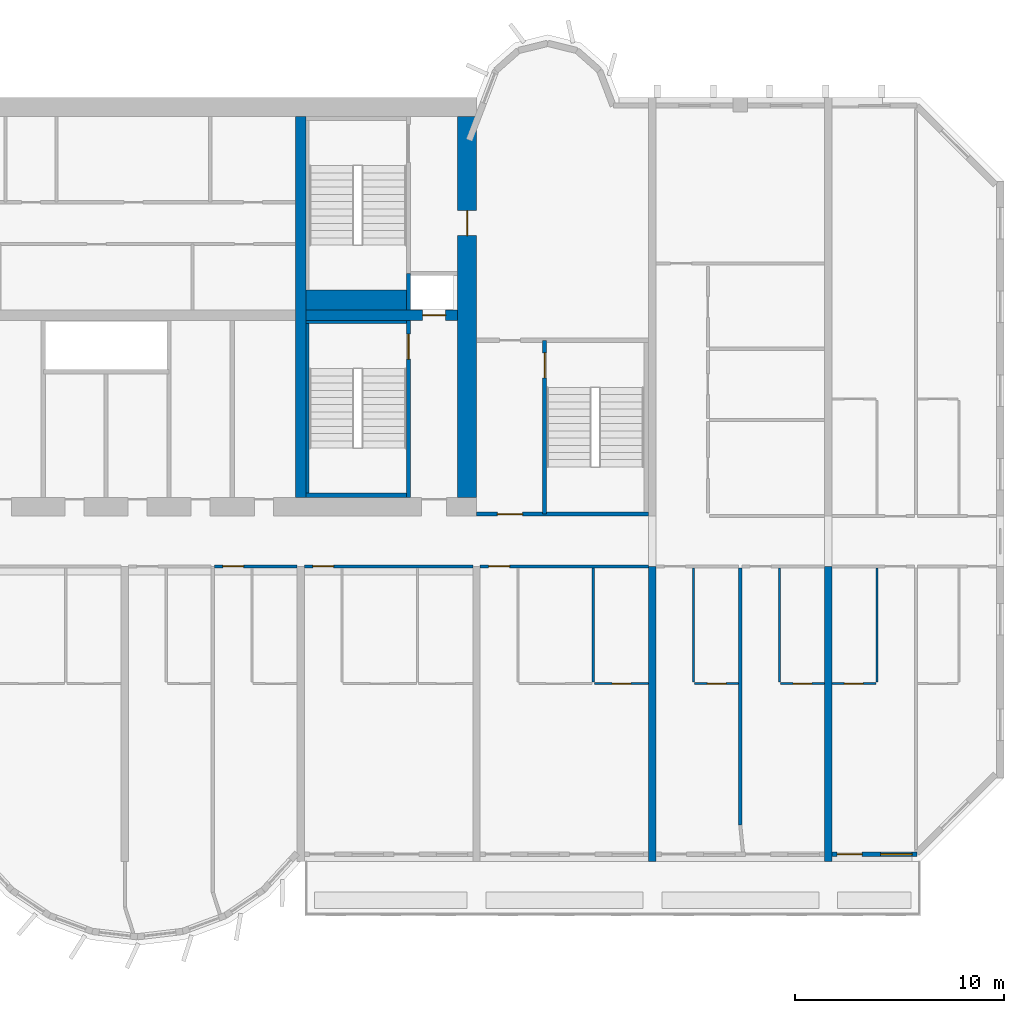
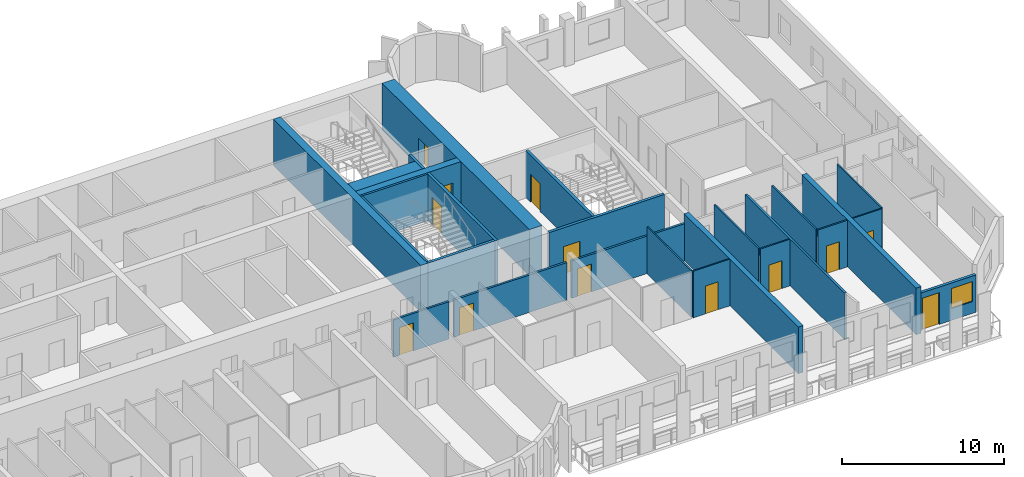
# One storey, part 9 of 15: 26 walls, 13 doors, 1 window, 14 openings.
"""IFC4 building model written with IfcOpenShell, lengths in metres."""

from ifc_helpers import new_model, si_unit, direction, frame, frame_2d, origin, place, context, subcontext, project, spatial, rectangle, extrude, source, transform, mapped, material, layer, layer_set, type_object, element, fill, save


model = new_model("IFC4")

# Units and contexts
model_context = context("Model", 3, precision=1e-05, world=origin(), true_north=direction((0.0, 1.0)))
body_context = subcontext(model_context, "Body", "Model", "MODEL_VIEW")
ifc_project = project(units=[si_unit("LENGTHUNIT", "METRE"), si_unit("AREAUNIT", "SQUARE_METRE"), si_unit("VOLUMEUNIT", "CUBIC_METRE"), si_unit("PLANEANGLEUNIT", "RADIAN"), si_unit("MASSUNIT", "GRAM", prefix="KILO")], contexts=[model_context])

# Site, building, storey
site_placement = place(None, origin())
site = spatial("IfcSite", under=ifc_project, at=site_placement, CompositionType="ELEMENT")
building_placement = place(site_placement, origin())
building = spatial("IfcBuilding", under=site, at=building_placement, Name="Vanashikhar Sky Hotel", CompositionType="ELEMENT")
storey_placement = place(building_placement, frame((0.0, 0.0, 110.39990234375)))
storey = spatial("IfcBuildingStorey", under=building, at=storey_placement, Name="L26", CompositionType="ELEMENT", Elevation=110.39990234375)

# Wall, opening, door
ifc_material_1 = material(Name="Concrete M70", Category="concrete")
ifc_layer_1 = layer(ifc_material_1, 0.89990234375)
ifc_layer_set_1 = layer_set([ifc_layer_1], Name="RC core shell wall 900 Concrete M70")
wall_type_1 = type_object("IfcWallType", Name="RC core shell wall 900 Concrete M70", PredefinedType="SHEAR", material=ifc_layer_set_1)
shared_shape_1 = source(origin(), body_context, "Body", "SweptSolid", [
    extrude(rectangle(XDim=18.2001953125, YDim=0.89990234375, at=frame_2d((9.10009765625, 0.0))), origin(), (0.0, 0.0, 1.0), 3.52001953125),
])
wall_1_placement = place(storey_placement, frame((75.14990234375, 22.89990234375, 0.0), z_axis=(0.0, 0.0, 1.0), x_axis=(0.0, 1.0, 0.0)))
wall_1 = element("IfcWall", 1, at=wall_1_placement, inside=storey, type_object=wall_type_1, Name="KW-L26-KE", PredefinedType="SHEAR", context=body_context, shape_type="MappedRepresentation", body=[
    mapped(shared_shape_1, transform((0.0, 0.0, 0.0), scale=1.0)),
])
shared_shape_2 = source(origin(), body_context, "Body", "SweptSolid", [
    extrude(rectangle(XDim=1.199951171875, YDim=2.10009765625, at=frame_2d((0.60009765625, 1.050048828125))), frame((0.0, 0.4599609375, 0.0), z_axis=(0.0, -1.0, 0.0), x_axis=(1.0, 0.0, 0.0)), (0.0, 0.0, 1.0), 0.919921875),
])
opening_1_placement = place(wall_1_placement, frame((12.5, 0.0, 0.0)))
opening_1 = element("IfcOpeningElement", 2, at=opening_1_placement, cuts=wall_1, Name="Opening DC-4-D", PredefinedType="OPENING", context=body_context, shape_type="MappedRepresentation", body=[
    mapped(shared_shape_2, transform((0.0, 0.0, 0.0), scale=1.0)),
])
ifc_material_2 = material(Name="Steel", Category="steel")
door_type_1 = type_object("IfcDoorType", Name="Service door 1200 FD120", OperationType="NOTDEFINED", PredefinedType="DOOR", material=ifc_material_2)
shared_shape_3 = source(origin(), body_context, "Body", "SweptSolid", [
    extrude(rectangle(XDim=1.199951171875, YDim=2.10009765625, at=frame_2d((0.60009765625, 1.050048828125))), frame((0.0, 0.02490234375, 0.0), z_axis=(0.0, -1.0, 0.0), x_axis=(1.0, 0.0, 0.0)), (0.0, 0.0, 1.0), 0.050048828125),
])
door_1_placement = place(opening_1_placement, origin())
door_1 = element("IfcDoor", 3, at=door_1_placement, inside=storey, type_object=door_type_1, Name="Service door 1200 FD120", OperationType="SINGLE_SWING_RIGHT", OverallHeight=2.10009765625, OverallWidth=1.199951171875, PredefinedType="DOOR", context=body_context, shape_type="MappedRepresentation", body=[
    mapped(shared_shape_3, transform((0.0, 0.0, 0.0), scale=1.0)),
])
fill(opening_1, door_1)

# Wall
ifc_layer_2 = layer(ifc_material_1, 0.5)
ifc_layer_set_2 = layer_set([ifc_layer_2], Name="RC core inner wall 500 Concrete M70")
wall_type_2 = type_object("IfcWallType", Name="RC core inner wall 500 Concrete M70", PredefinedType="SHEAR", material=ifc_layer_set_2)
shared_shape_4 = source(origin(), body_context, "Body", "SweptSolid", [
    extrude(rectangle(XDim=18.2001953125, YDim=0.5, at=frame_2d((9.10009765625, 0.0))), origin(), (0.0, 0.0, 1.0), 3.52001953125),
])
wall_2_placement = place(storey_placement, frame((67.199951171875, 22.89990234375, 0.0), z_axis=(0.0, 0.0, 1.0), x_axis=(0.0, 1.0, 0.0)))
element("IfcWall", 4, at=wall_2_placement, inside=storey, type_object=wall_type_2, Name="KW-L26-KX3", PredefinedType="SHEAR", context=body_context, shape_type="MappedRepresentation", body=[
    mapped(shared_shape_4, transform((0.0, 0.0, 0.0), scale=1.0)),
])

# Wall, opening, door
shared_shape_5 = source(origin(), body_context, "Body", "SweptSolid", [
    extrude(rectangle(XDim=7.25, YDim=0.5, at=frame_2d((3.625, 0.0))), origin(), (0.0, 0.0, 1.0), 3.52001953125),
])
wall_3_placement = place(storey_placement, frame((67.449951171875, 31.60009765625, 0.0), z_axis=(0.0, 0.0, 1.0), x_axis=(1.0, 0.0, 0.0)))
wall_3 = element("IfcWall", 5, at=wall_3_placement, inside=storey, type_object=wall_type_2, Name="KW-L26-KY4", PredefinedType="SHEAR", context=body_context, shape_type="MappedRepresentation", body=[
    mapped(shared_shape_5, transform((0.0, 0.0, 0.0), scale=1.0)),
])
shared_shape_6 = source(origin(), body_context, "Body", "SweptSolid", [
    extrude(rectangle(XDim=1.10009765625, YDim=2.10009765625, at=frame_2d((0.550048828125, 1.050048828125))), frame((0.0, 0.260009765625, 0.0), z_axis=(0.0, -1.0, 0.0), x_axis=(1.0, 0.0, 0.0)), (0.0, 0.0, 1.0), 0.52001953125),
])
opening_2_placement = place(wall_3_placement, frame((5.574951171875, 0.0, 0.0)))
opening_2 = element("IfcOpeningElement", 6, at=opening_2_placement, cuts=wall_3, Name="Opening LD", PredefinedType="OPENING", context=body_context, shape_type="MappedRepresentation", body=[
    mapped(shared_shape_6, transform((0.0, 0.0, 0.0), scale=1.0)),
])
ifc_material_3 = material(Name="Stainless steel", Category="steel")
door_type_2 = type_object("IfcDoorType", Name="Lift landing door 1100", OperationType="NOTDEFINED", PredefinedType="DOOR", material=ifc_material_3)
shared_shape_7 = source(origin(), body_context, "Body", "SweptSolid", [
    extrude(rectangle(XDim=1.10009765625, YDim=2.10009765625, at=frame_2d((0.550048828125, 1.050048828125))), frame((0.0, 0.02490234375, 0.0), z_axis=(0.0, -1.0, 0.0), x_axis=(1.0, 0.0, 0.0)), (0.0, 0.0, 1.0), 0.050048828125),
])
door_2_placement = place(opening_2_placement, origin())
door_2 = element("IfcDoor", 7, at=door_2_placement, inside=storey, type_object=door_type_2, Name="Lift landing door 1100", OperationType="SLIDING_TO_RIGHT", OverallHeight=2.10009765625, OverallWidth=1.10009765625, PredefinedType="DOOR", context=body_context, shape_type="MappedRepresentation", body=[
    mapped(shared_shape_7, transform((0.0, 0.0, 0.0), scale=1.0)),
])
fill(opening_2, door_2)

# Walls
ifc_layer_3 = layer(ifc_material_1, 0.35009765625)
ifc_layer_set_3 = layer_set([ifc_layer_3], Name="RC shear wall 350 Concrete M70")
wall_type_3 = type_object("IfcWallType", Name="RC shear wall 350 Concrete M70", PredefinedType="SHEAR", material=ifc_layer_set_3)
shared_shape_8 = source(origin(), body_context, "Body", "SweptSolid", [
    extrude(rectangle(XDim=14.10009765625, YDim=0.35009765625, at=frame_2d((7.050048828125, 0.0))), origin(), (0.0, 0.0, 1.0), 3.52001953125),
])
for number, where, z_axis, x_axis, name in (
    (8, (84.0, 5.5, 0.0), (0.0, 0.0, 1.0), (0.0, 1.0, 0.0), "CW-L26-XW11-1"),
    (9, (92.39990234375, 5.5, 0.0), (0.0, 0.0, 1.0), (0.0, 1.0, 0.0), "CW-L26-XW12-1"),
):
    element("IfcWall", number, at=place(storey_placement, frame(where, z_axis=z_axis, x_axis=x_axis)), inside=storey, type_object=wall_type_3, Name=name, PredefinedType="SHEAR", context=body_context, shape_type="MappedRepresentation", body=[
        mapped(shared_shape_8, transform((0.0, 0.0, 0.0), scale=1.0)),
    ])

# Wall, openings, window, door
ifc_material_4 = material(Name="Concrete M50", Category="concrete")
ifc_layer_4 = layer(ifc_material_4, 0.199951171875)
ifc_layer_set_4 = layer_set([ifc_layer_4], Name="Front window wall 200")
wall_type_4 = type_object("IfcWallType", Name="Front window wall 200", PredefinedType="SOLIDWALL", material=ifc_layer_set_4)
shared_shape_9 = source(origin(), body_context, "Body", "SweptSolid", [
    extrude(rectangle(XDim=4.080078125, YDim=0.199951171875, at=frame_2d((2.0400390625, 0.0))), origin(), (0.0, 0.0, 1.0), 2.820068359375),
])
wall_4_placement = place(storey_placement, frame((92.574951171875, 5.85009765625, 0.0), z_axis=(0.0, 0.0, 1.0), x_axis=(1.0, 0.0, 0.0)))
wall_4 = element("IfcWall", 10, at=wall_4_placement, inside=storey, type_object=wall_type_4, Name="Front window wall", PredefinedType="SOLIDWALL", context=body_context, shape_type="MappedRepresentation", body=[
    mapped(shared_shape_9, transform((0.0, 0.0, 0.0), scale=1.0)),
])
shared_shape_10 = source(origin(), body_context, "Body", "SweptSolid", [
    extrude(rectangle(XDim=1.199951171875, YDim=2.39990234375, at=frame_2d((0.60009765625, 1.199951171875))), frame((0.0, 0.10986328125, 0.0), z_axis=(0.0, -1.0, 0.0), x_axis=(1.0, 0.0, 0.0)), (0.0, 0.0, 1.0), 0.219970703125),
])
opening_3_placement = place(wall_4_placement, frame((0.25, 0.0, 0.0)))
opening_3 = element("IfcOpeningElement", 11, at=opening_3_placement, cuts=wall_4, Name="Opening BD-14", PredefinedType="OPENING", context=body_context, shape_type="MappedRepresentation", body=[
    mapped(shared_shape_10, transform((0.0, 0.0, 0.0), scale=1.0)),
])
shared_shape_11 = source(origin(), body_context, "Body", "SweptSolid", [
    extrude(rectangle(XDim=1.5, YDim=1.5, at=frame_2d((0.75, 0.75))), frame((0.0, 0.10986328125, 0.0), z_axis=(0.0, -1.0, 0.0), x_axis=(1.0, 0.0, 0.0)), (0.0, 0.0, 1.0), 0.219970703125),
])
opening_4_placement = place(wall_4_placement, frame((2.330078125, 0.0, 0.89990234375)))
opening_4 = element("IfcOpeningElement", 12, at=opening_4_placement, cuts=wall_4, Name="Opening WN-1", PredefinedType="OPENING", context=body_context, shape_type="MappedRepresentation", body=[
    mapped(shared_shape_11, transform((0.0, 0.0, 0.0), scale=1.0)),
])
ifc_material_5 = material(Name="Glass", Category="glass")
window_type = type_object("IfcWindowType", Name="Window 1500 x 1500", PartitioningType="SINGLE_PANEL", PredefinedType="WINDOW", material=ifc_material_5)
shared_shape_12 = source(origin(), body_context, "Body", "SweptSolid", [
    extrude(rectangle(XDim=1.5, YDim=1.5, at=frame_2d((0.75, 0.75))), frame((0.0, 0.030029296875, 0.0), z_axis=(0.0, -1.0, 0.0), x_axis=(1.0, 0.0, 0.0)), (0.0, 0.0, 1.0), 0.06005859375),
])
window_placement = place(opening_4_placement, origin())
window = element("IfcWindow", 13, at=window_placement, inside=storey, type_object=window_type, Name="Window WN-1", OverallHeight=1.5, OverallWidth=1.5, PartitioningType="SINGLE_PANEL", PredefinedType="WINDOW", context=body_context, shape_type="MappedRepresentation", body=[
    mapped(shared_shape_12, transform((0.0, 0.0, 0.0), scale=1.0)),
])
fill(opening_4, window)
ifc_material_6 = material(Name="Aluminium", Category="aluminium")
door_type_3 = type_object("IfcDoorType", Name="Balcony sliding door 1200 x 2400", OperationType="NOTDEFINED", PredefinedType="DOOR", material=ifc_material_6)
shared_shape_13 = source(origin(), body_context, "Body", "SweptSolid", [
    extrude(rectangle(XDim=1.199951171875, YDim=2.39990234375, at=frame_2d((0.60009765625, 1.199951171875))), frame((0.0, 0.02490234375, 0.0), z_axis=(0.0, -1.0, 0.0), x_axis=(1.0, 0.0, 0.0)), (0.0, 0.0, 1.0), 0.050048828125),
])
door_3_placement = place(opening_3_placement, origin())
door_3 = element("IfcDoor", 14, at=door_3_placement, inside=storey, type_object=door_type_3, Name="Balcony sliding door", OperationType="SLIDING_TO_RIGHT", OverallHeight=2.39990234375, OverallWidth=1.199951171875, PredefinedType="DOOR", context=body_context, shape_type="MappedRepresentation", body=[
    mapped(shared_shape_13, transform((0.0, 0.0, 0.0), scale=1.0)),
])
fill(opening_3, door_3)

# Wall, opening, door
ifc_layer_5 = layer(ifc_material_4, 0.199951171875)
ifc_layer_set_5 = layer_set([ifc_layer_5], Name="Stair wall 200")
wall_type_5 = type_object("IfcWallType", Name="Stair wall 200", PredefinedType="SOLIDWALL", material=ifc_layer_set_5)
shared_shape_14 = source(origin(), body_context, "Body", "SweptSolid", [
    extrude(rectangle(XDim=8.2998046875, YDim=0.199951171875, at=frame_2d((4.14990234375, 0.0))), origin(), (0.0, 0.0, 1.0), 3.52001953125),
])
wall_5_placement = place(storey_placement, frame((78.85009765625, 22.10009765625, 0.0), z_axis=(0.0, 0.0, 1.0), x_axis=(0.0, 1.0, 0.0)))
wall_5 = element("IfcWall", 15, at=wall_5_placement, inside=storey, type_object=wall_type_5, Name="Stair wall 200", PredefinedType="SOLIDWALL", context=body_context, shape_type="MappedRepresentation", body=[
    mapped(shared_shape_14, transform((0.0, 0.0, 0.0), scale=1.0)),
])
shared_shape_15 = source(origin(), body_context, "Body", "SweptSolid", [
    extrude(rectangle(XDim=1.199951171875, YDim=2.10009765625, at=frame_2d((0.60009765625, 1.050048828125))), frame((0.0, 0.10986328125, 0.0), z_axis=(0.0, -1.0, 0.0), x_axis=(1.0, 0.0, 0.0)), (0.0, 0.0, 1.0), 0.219970703125),
])
opening_5_placement = place(wall_5_placement, frame((6.5, 0.0, 0.0)))
opening_5 = element("IfcOpeningElement", 16, at=opening_5_placement, cuts=wall_5, Name="Opening DC-1", PredefinedType="OPENING", context=body_context, shape_type="MappedRepresentation", body=[
    mapped(shared_shape_15, transform((0.0, 0.0, 0.0), scale=1.0)),
])
door_type_4 = type_object("IfcDoorType", Name="Stair door 1200 FD120", OperationType="NOTDEFINED", PredefinedType="DOOR", material=ifc_material_2)
door_4_placement = place(opening_5_placement, origin())
door_4 = element("IfcDoor", 17, at=door_4_placement, inside=storey, type_object=door_type_4, Name="Stair door 1200 FD120", OperationType="SINGLE_SWING_RIGHT", OverallHeight=2.10009765625, OverallWidth=1.199951171875, PredefinedType="DOOR", context=body_context, shape_type="MappedRepresentation", body=[
    mapped(shared_shape_3, transform((0.0, 0.0, 0.0), scale=1.0)),
])
fill(opening_5, door_4)

shared_shape_16 = source(origin(), body_context, "Body", "SweptSolid", [
    extrude(rectangle(XDim=8.4501953125, YDim=0.199951171875, at=frame_2d((4.22509765625, 0.0))), origin(), (0.0, 0.0, 1.0), 3.52001953125),
])
wall_6_placement = place(storey_placement, frame((72.35009765625, 22.89990234375, 0.0), z_axis=(0.0, 0.0, 1.0), x_axis=(0.0, 1.0, 0.0)))
wall_6 = element("IfcWall", 18, at=wall_6_placement, inside=storey, type_object=wall_type_5, Name="Stair wall 200", PredefinedType="SOLIDWALL", context=body_context, shape_type="MappedRepresentation", body=[
    mapped(shared_shape_16, transform((0.0, 0.0, 0.0), scale=1.0)),
])
opening_6_placement = place(wall_6_placement, frame((6.60009765625, 0.0, 0.0)))
opening_6 = element("IfcOpeningElement", 19, at=opening_6_placement, cuts=wall_6, Name="Opening DC-1", PredefinedType="OPENING", context=body_context, shape_type="MappedRepresentation", body=[
    mapped(shared_shape_15, transform((0.0, 0.0, 0.0), scale=1.0)),
])
door_5_placement = place(opening_6_placement, origin())
door_5 = element("IfcDoor", 20, at=door_5_placement, inside=storey, type_object=door_type_4, Name="Stair door 1200 FD120", OperationType="SINGLE_SWING_LEFT", OverallHeight=2.10009765625, OverallWidth=1.199951171875, PredefinedType="DOOR", context=body_context, shape_type="MappedRepresentation", body=[
    mapped(shared_shape_3, transform((0.0, 0.0, 0.0), scale=1.0)),
])
fill(opening_6, door_5)

# Wall
ifc_material_7 = material(Name="Concrete M40", Category="concrete")
ifc_layer_6 = layer(ifc_material_7, 0.199951171875)
ifc_layer_set_6 = layer_set([ifc_layer_6], Name="Shaft wall 200")
wall_type_6 = type_object("IfcWallType", Name="Shaft wall 200", PredefinedType="SOLIDWALL", material=ifc_layer_set_6)
shared_shape_17 = source(origin(), body_context, "Body", "SweptSolid", [
    extrude(rectangle(XDim=1.75, YDim=0.199951171875, at=frame_2d((0.875, 0.0))), origin(), (0.0, 0.0, 1.0), 3.52001953125),
])
wall_7_placement = place(storey_placement, frame((72.35009765625, 31.85009765625, 0.0), z_axis=(0.0, 0.0, 1.0), x_axis=(0.0, 1.0, 0.0)))
element("IfcWall", 21, at=wall_7_placement, inside=storey, type_object=wall_type_6, Name="Shaft wall 200", PredefinedType="SOLIDWALL", context=body_context, shape_type="MappedRepresentation", body=[
    mapped(shared_shape_17, transform((0.0, 0.0, 0.0), scale=1.0)),
])

# Wall, opening, door
shared_shape_18 = source(origin(), body_context, "Body", "SweptSolid", [
    extrude(rectangle(XDim=8.224853515625, YDim=0.199951171875, at=frame_2d((4.1123046875, 0.0))), origin(), (0.0, 0.0, 1.0), 3.52001953125),
])
wall_8_placement = place(storey_placement, frame((83.824951171875, 22.10009765625, 0.0), z_axis=(0.0, 0.0, 1.0), x_axis=(-1.0, 0.0, 0.0)))
wall_8 = element("IfcWall", 22, at=wall_8_placement, inside=storey, type_object=wall_type_5, Name="Stair wall 200", PredefinedType="SOLIDWALL", context=body_context, shape_type="MappedRepresentation", body=[
    mapped(shared_shape_18, transform((0.0, 0.0, 0.0), scale=1.0)),
])
opening_7_placement = place(wall_8_placement, frame((6.02490234375, 0.0, 0.0)))
opening_7 = element("IfcOpeningElement", 23, at=opening_7_placement, cuts=wall_8, Name="Opening DC-2", PredefinedType="OPENING", context=body_context, shape_type="MappedRepresentation", body=[
    mapped(shared_shape_15, transform((0.0, 0.0, 0.0), scale=1.0)),
])
door_type_5 = type_object("IfcDoorType", Name="Firefighting lobby door 1200 FD120", OperationType="NOTDEFINED", PredefinedType="DOOR", material=ifc_material_2)
door_6_placement = place(opening_7_placement, origin())
door_6 = element("IfcDoor", 24, at=door_6_placement, inside=storey, type_object=door_type_5, Name="Firefighting lobby door 1200 FD120", OperationType="SINGLE_SWING_RIGHT", OverallHeight=2.10009765625, OverallWidth=1.199951171875, PredefinedType="DOOR", context=body_context, shape_type="MappedRepresentation", body=[
    mapped(shared_shape_3, transform((0.0, 0.0, 0.0), scale=1.0)),
])
fill(opening_7, door_6)

# Walls
ifc_layer_7 = layer(ifc_material_4, 0.199951171875)
ifc_layer_set_7 = layer_set([ifc_layer_7], Name="Stair infill wall 200")
wall_type_7 = type_object("IfcWallType", Name="Stair infill wall 200", PredefinedType="SOLIDWALL", material=ifc_layer_set_7)
shared_shape_19 = source(origin(), body_context, "Body", "SweptSolid", [
    extrude(rectangle(XDim=4.800048828125, YDim=0.199951171875, at=frame_2d((2.39990234375, 0.0))), origin(), (0.0, 0.0, 1.0), 3.52001953125),
])
wall_9_placement = place(storey_placement, frame((67.449951171875, 23.0, 0.0), z_axis=(0.0, 0.0, 1.0), x_axis=(1.0, 0.0, 0.0)))
element("IfcWall", 25, at=wall_9_placement, inside=storey, type_object=wall_type_7, Name="Stair infill wall 200", PredefinedType="SOLIDWALL", context=body_context, shape_type="MappedRepresentation", body=[
    mapped(shared_shape_19, transform((0.0, 0.0, 0.0), scale=1.0)),
])
ifc_layer_8 = layer(ifc_material_4, 0.14990234375)
ifc_layer_set_8 = layer_set([ifc_layer_8], Name="Stair infill wall 150")
wall_type_8 = type_object("IfcWallType", Name="Stair infill wall 150", PredefinedType="SOLIDWALL", material=ifc_layer_set_8)
shared_shape_20 = source(origin(), body_context, "Body", "SweptSolid", [
    extrude(rectangle(XDim=4.800048828125, YDim=0.14990234375, at=frame_2d((2.39990234375, 0.0))), origin(), (0.0, 0.0, 1.0), 3.52001953125),
])
wall_10_placement = place(storey_placement, frame((67.449951171875, 31.27490234375, 0.0), z_axis=(0.0, 0.0, 1.0), x_axis=(1.0, 0.0, 0.0)))
element("IfcWall", 26, at=wall_10_placement, inside=storey, type_object=wall_type_8, Name="Stair infill wall 150", PredefinedType="SOLIDWALL", context=body_context, shape_type="MappedRepresentation", body=[
    mapped(shared_shape_20, transform((0.0, 0.0, 0.0), scale=1.0)),
])
shared_shape_21 = source(origin(), body_context, "Body", "SweptSolid", [
    extrude(rectangle(XDim=8.099853515625, YDim=0.14990234375, at=frame_2d((4.0498046875, 0.0))), origin(), (0.0, 0.0, 1.0), 3.52001953125),
])
wall_11_placement = place(storey_placement, frame((67.52490234375, 23.10009765625, 0.0), z_axis=(0.0, 0.0, 1.0), x_axis=(0.0, 1.0, 0.0)))
element("IfcWall", 27, at=wall_11_placement, inside=storey, type_object=wall_type_8, Name="Stair infill wall 150", PredefinedType="SOLIDWALL", context=body_context, shape_type="MappedRepresentation", body=[
    mapped(shared_shape_21, transform((0.0, 0.0, 0.0), scale=1.0)),
])
ifc_layer_9 = layer(ifc_material_4, 0.949951171875)
ifc_layer_set_9 = layer_set([ifc_layer_9], Name="Stair infill wall 950")
wall_type_9 = type_object("IfcWallType", Name="Stair infill wall 950", PredefinedType="SOLIDWALL", material=ifc_layer_set_9)
shared_shape_22 = source(origin(), body_context, "Body", "SweptSolid", [
    extrude(rectangle(XDim=4.800048828125, YDim=0.949951171875, at=frame_2d((2.39990234375, 0.0))), origin(), (0.0, 0.0, 1.0), 3.52001953125),
])
wall_12_placement = place(storey_placement, frame((67.449951171875, 32.324951171875, 0.0), z_axis=(0.0, 0.0, 1.0), x_axis=(1.0, 0.0, 0.0)))
element("IfcWall", 28, at=wall_12_placement, inside=storey, type_object=wall_type_9, Name="Stair infill wall 950", PredefinedType="SOLIDWALL", context=body_context, shape_type="MappedRepresentation", body=[
    mapped(shared_shape_22, transform((0.0, 0.0, 0.0), scale=1.0)),
])
ifc_material_8 = material(Name="Gypsum plasterboard partition")
ifc_layer_10 = layer(ifc_material_8, 0.10009765625)
ifc_layer_set_10 = layer_set([ifc_layer_10], Name="Wet room partition 100")
wall_type_10 = type_object("IfcWallType", Name="Wet room partition 100", PredefinedType="PARTITIONING", material=ifc_layer_set_10)
shared_shape_23 = source(origin(), body_context, "Body", "SweptSolid", [
    extrude(rectangle(XDim=5.449951171875, YDim=0.10009765625, at=frame_2d((2.72509765625, 0.0))), origin(), (0.0, 0.0, 1.0), 3.52001953125),
])
for number, where, z_axis, x_axis, name in (
    (29, (81.175048828125, 14.074951171875, 0.0), (0.0, 0.0, 1.0), (0.0, 1.0, 0.0), "W-L26-PW061"),
    (30, (85.97509765625, 14.074951171875, 0.0), (0.0, 0.0, 1.0), (0.0, 1.0, 0.0), "W-L26-PW065"),
    (31, (90.074951171875, 14.074951171875, 0.0), (0.0, 0.0, 1.0), (0.0, 1.0, 0.0), "W-L26-PW068"),
    (32, (94.72509765625, 14.074951171875, 0.0), (0.0, 0.0, 1.0), (0.0, 1.0, 0.0), "W-L26-PW072"),
):
    element("IfcWall", number, at=place(storey_placement, frame(where, z_axis=z_axis, x_axis=x_axis)), inside=storey, type_object=wall_type_10, Name=name, PredefinedType="PARTITIONING", context=body_context, shape_type="MappedRepresentation", body=[
        mapped(shared_shape_23, transform((0.0, 0.0, 0.0), scale=1.0)),
    ])

# Wall, opening, door
shared_shape_24 = source(origin(), body_context, "Body", "SweptSolid", [
    extrude(rectangle(XDim=2.10009765625, YDim=0.10009765625, at=frame_2d((1.050048828125, 0.0))), origin(), (0.0, 0.0, 1.0), 3.52001953125),
])
wall_13_placement = place(storey_placement, frame((86.02490234375, 14.0, 0.0), z_axis=(0.0, 0.0, 1.0), x_axis=(1.0, 0.0, 0.0)))
wall_13 = element("IfcWall", 33, at=wall_13_placement, inside=storey, type_object=wall_type_10, Name="W-L26-PW066", PredefinedType="PARTITIONING", context=body_context, shape_type="MappedRepresentation", body=[
    mapped(shared_shape_24, transform((0.0, 0.0, 0.0), scale=1.0)),
])
shared_shape_25 = source(origin(), body_context, "Body", "SweptSolid", [
    extrude(rectangle(XDim=0.89990234375, YDim=2.10009765625, at=frame_2d((0.449951171875, 1.050048828125))), frame((0.0, 0.06005859375, 0.0), z_axis=(0.0, -1.0, 0.0), x_axis=(1.0, 0.0, 0.0)), (0.0, 0.0, 1.0), 0.1201171875),
])
opening_8_placement = place(wall_13_placement, frame((0.60009765625, 0.0, 0.0)))
opening_8 = element("IfcOpeningElement", 34, at=opening_8_placement, cuts=wall_13, Name="Opening D-02", PredefinedType="OPENING", context=body_context, shape_type="MappedRepresentation", body=[
    mapped(shared_shape_25, transform((0.0, 0.0, 0.0), scale=1.0)),
])
ifc_material_9 = material(Name="Timber door", Category="wood")
door_type_6 = type_object("IfcDoorType", Name="Internal door 900", OperationType="NOTDEFINED", PredefinedType="DOOR", material=ifc_material_9)
shared_shape_26 = source(origin(), body_context, "Body", "SweptSolid", [
    extrude(rectangle(XDim=0.89990234375, YDim=2.10009765625, at=frame_2d((0.449951171875, 1.050048828125))), frame((0.0, 0.02490234375, 0.0), z_axis=(0.0, -1.0, 0.0), x_axis=(1.0, 0.0, 0.0)), (0.0, 0.0, 1.0), 0.050048828125),
])
door_7_placement = place(opening_8_placement, origin())
door_7 = element("IfcDoor", 35, at=door_7_placement, inside=storey, type_object=door_type_6, Name="D-L26-038", OperationType="SINGLE_SWING_LEFT", OverallHeight=2.10009765625, OverallWidth=0.89990234375, PredefinedType="DOOR", context=body_context, shape_type="MappedRepresentation", body=[
    mapped(shared_shape_26, transform((0.0, 0.0, 0.0), scale=1.0)),
])
fill(opening_8, door_7)

wall_14_placement = place(storey_placement, frame((90.125, 14.0, 0.0), z_axis=(0.0, 0.0, 1.0), x_axis=(1.0, 0.0, 0.0)))
wall_14 = element("IfcWall", 36, at=wall_14_placement, inside=storey, type_object=wall_type_10, Name="W-L26-PW069", PredefinedType="PARTITIONING", context=body_context, shape_type="MappedRepresentation", body=[
    mapped(shared_shape_24, transform((0.0, 0.0, 0.0), scale=1.0)),
])
opening_9_placement = place(wall_14_placement, frame((0.60009765625, 0.0, 0.0)))
opening_9 = element("IfcOpeningElement", 37, at=opening_9_placement, cuts=wall_14, Name="Opening D-02", PredefinedType="OPENING", context=body_context, shape_type="MappedRepresentation", body=[
    mapped(shared_shape_25, transform((0.0, 0.0, 0.0), scale=1.0)),
])
door_8_placement = place(opening_9_placement, origin())
door_8 = element("IfcDoor", 38, at=door_8_placement, inside=storey, type_object=door_type_6, Name="D-L26-040", OperationType="SINGLE_SWING_LEFT", OverallHeight=2.10009765625, OverallWidth=0.89990234375, PredefinedType="DOOR", context=body_context, shape_type="MappedRepresentation", body=[
    mapped(shared_shape_26, transform((0.0, 0.0, 0.0), scale=1.0)),
])
fill(opening_9, door_8)

wall_15_placement = place(storey_placement, frame((92.574951171875, 14.0, 0.0), z_axis=(0.0, 0.0, 1.0), x_axis=(1.0, 0.0, 0.0)))
wall_15 = element("IfcWall", 39, at=wall_15_placement, inside=storey, type_object=wall_type_10, Name="W-L26-PW073", PredefinedType="PARTITIONING", context=body_context, shape_type="MappedRepresentation", body=[
    mapped(shared_shape_24, transform((0.0, 0.0, 0.0), scale=1.0)),
])
opening_10_placement = place(wall_15_placement, frame((0.60009765625, 0.0, 0.0)))
opening_10 = element("IfcOpeningElement", 40, at=opening_10_placement, cuts=wall_15, Name="Opening D-02", PredefinedType="OPENING", context=body_context, shape_type="MappedRepresentation", body=[
    mapped(shared_shape_25, transform((0.0, 0.0, 0.0), scale=1.0)),
])
door_9_placement = place(opening_10_placement, origin())
door_9 = element("IfcDoor", 41, at=door_9_placement, inside=storey, type_object=door_type_6, Name="D-L26-042", OperationType="SINGLE_SWING_RIGHT", OverallHeight=2.10009765625, OverallWidth=0.89990234375, PredefinedType="DOOR", context=body_context, shape_type="MappedRepresentation", body=[
    mapped(shared_shape_26, transform((0.0, 0.0, 0.0), scale=1.0)),
])
fill(opening_10, door_9)

ifc_layer_11 = layer(ifc_material_8, 0.14990234375)
ifc_layer_set_11 = layer_set([ifc_layer_11], Name="Corridor and demising partition 150")
wall_type_11 = type_object("IfcWallType", Name="Corridor and demising partition 150", PredefinedType="PARTITIONING", material=ifc_layer_set_11)
shared_shape_27 = source(origin(), body_context, "Body", "SweptSolid", [
    extrude(rectangle(XDim=8.050048828125, YDim=0.14990234375, at=frame_2d((4.02490234375, 0.0))), origin(), (0.0, 0.0, 1.0), 2.820068359375),
])
wall_16_placement = place(storey_placement, frame((67.375, 19.60009765625, 0.0), z_axis=(0.0, 0.0, 1.0), x_axis=(1.0, 0.0, 0.0)))
wall_16 = element("IfcWall", 42, at=wall_16_placement, inside=storey, type_object=wall_type_11, Name="W-L26-PW059", PredefinedType="PARTITIONING", context=body_context, shape_type="MappedRepresentation", body=[
    mapped(shared_shape_27, transform((0.0, 0.0, 0.0), scale=1.0)),
])
shared_shape_28 = source(origin(), body_context, "Body", "SweptSolid", [
    extrude(rectangle(XDim=1.0, YDim=2.10009765625, at=frame_2d((0.5, 1.050048828125))), frame((0.0, 0.0849609375, 0.0), z_axis=(0.0, -1.0, 0.0), x_axis=(1.0, 0.0, 0.0)), (0.0, 0.0, 1.0), 0.169921875),
])
opening_11_placement = place(wall_16_placement, frame((0.39990234375, 0.0, 0.0)))
opening_11 = element("IfcOpeningElement", 43, at=opening_11_placement, cuts=wall_16, Name="Opening D-01", PredefinedType="OPENING", context=body_context, shape_type="MappedRepresentation", body=[
    mapped(shared_shape_28, transform((0.0, 0.0, 0.0), scale=1.0)),
])
ifc_material_10 = material(Name="Timber fire door", Category="wood")
door_type_7 = type_object("IfcDoorType", Name="Guest entry door 1000 FD30S", OperationType="NOTDEFINED", PredefinedType="DOOR", material=ifc_material_10)
shared_shape_29 = source(origin(), body_context, "Body", "SweptSolid", [
    extrude(rectangle(XDim=1.0, YDim=2.10009765625, at=frame_2d((0.5, 1.050048828125))), frame((0.0, 0.02490234375, 0.0), z_axis=(0.0, -1.0, 0.0), x_axis=(1.0, 0.0, 0.0)), (0.0, 0.0, 1.0), 0.050048828125),
])
door_10_placement = place(opening_11_placement, origin())
door_10 = element("IfcDoor", 44, at=door_10_placement, inside=storey, type_object=door_type_7, Name="D-L26-034", OperationType="SINGLE_SWING_LEFT", OverallHeight=2.10009765625, OverallWidth=1.0, PredefinedType="DOOR", context=body_context, shape_type="MappedRepresentation", body=[
    mapped(shared_shape_29, transform((0.0, 0.0, 0.0), scale=1.0)),
])
fill(opening_11, door_10)

wall_17_placement = place(storey_placement, frame((75.77490234375, 19.60009765625, 0.0), z_axis=(0.0, 0.0, 1.0), x_axis=(1.0, 0.0, 0.0)))
wall_17 = element("IfcWall", 45, at=wall_17_placement, inside=storey, type_object=wall_type_11, Name="W-L26-PW064", PredefinedType="PARTITIONING", context=body_context, shape_type="MappedRepresentation", body=[
    mapped(shared_shape_27, transform((0.0, 0.0, 0.0), scale=1.0)),
])
opening_12_placement = place(wall_17_placement, frame((0.39990234375, 0.0, 0.0)))
opening_12 = element("IfcOpeningElement", 46, at=opening_12_placement, cuts=wall_17, Name="Opening D-01", PredefinedType="OPENING", context=body_context, shape_type="MappedRepresentation", body=[
    mapped(shared_shape_28, transform((0.0, 0.0, 0.0), scale=1.0)),
])
door_11_placement = place(opening_12_placement, origin())
door_11 = element("IfcDoor", 47, at=door_11_placement, inside=storey, type_object=door_type_7, Name="D-L26-037", OperationType="SINGLE_SWING_LEFT", OverallHeight=2.10009765625, OverallWidth=1.0, PredefinedType="DOOR", context=body_context, shape_type="MappedRepresentation", body=[
    mapped(shared_shape_29, transform((0.0, 0.0, 0.0), scale=1.0)),
])
fill(opening_12, door_11)

shared_shape_30 = source(origin(), body_context, "Body", "SweptSolid", [
    extrude(rectangle(XDim=3.949951171875, YDim=0.14990234375, at=frame_2d((1.97509765625, 0.0))), origin(), (0.0, 0.0, 1.0), 2.820068359375),
])
wall_18_placement = place(storey_placement, frame((63.074951171875, 19.60009765625, 0.0), z_axis=(0.0, 0.0, 1.0), x_axis=(1.0, 0.0, 0.0)))
wall_18 = element("IfcWall", 48, at=wall_18_placement, inside=storey, type_object=wall_type_11, Name="W-L26-PW053", PredefinedType="PARTITIONING", context=body_context, shape_type="MappedRepresentation", body=[
    mapped(shared_shape_30, transform((0.0, 0.0, 0.0), scale=1.0)),
])
opening_13_placement = place(wall_18_placement, frame((0.39990234375, 0.0, 0.0)))
opening_13 = element("IfcOpeningElement", 49, at=opening_13_placement, cuts=wall_18, Name="Opening D-01", PredefinedType="OPENING", context=body_context, shape_type="MappedRepresentation", body=[
    mapped(shared_shape_28, transform((0.0, 0.0, 0.0), scale=1.0)),
])
door_12_placement = place(opening_13_placement, origin())
door_12 = element("IfcDoor", 50, at=door_12_placement, inside=storey, type_object=door_type_7, Name="D-L26-031", OperationType="SINGLE_SWING_LEFT", OverallHeight=2.10009765625, OverallWidth=1.0, PredefinedType="DOOR", context=body_context, shape_type="MappedRepresentation", body=[
    mapped(shared_shape_29, transform((0.0, 0.0, 0.0), scale=1.0)),
])
fill(opening_13, door_12)

# Wall
shared_shape_31 = source(origin(), body_context, "Body", "SweptSolid", [
    extrude(rectangle(XDim=12.27490234375, YDim=0.14990234375, at=frame_2d((6.137451171875, 0.0))), origin(), (0.0, 0.0, 1.0), 3.52001953125),
])
wall_19_placement = place(storey_placement, frame((88.199951171875, 7.25, 0.0), z_axis=(0.0, 0.0, 1.0), x_axis=(0.0, 1.0, 0.0)))
element("IfcWall", 51, at=wall_19_placement, inside=storey, type_object=wall_type_11, Name="W-L26-PW071", PredefinedType="PARTITIONING", context=body_context, shape_type="MappedRepresentation", body=[
    mapped(shared_shape_31, transform((0.0, 0.0, 0.0), scale=1.0)),
])

# Wall, opening, door
shared_shape_32 = source(origin(), body_context, "Body", "SweptSolid", [
    extrude(rectangle(XDim=2.599853515625, YDim=0.10009765625, at=frame_2d((1.2998046875, 0.0))), origin(), (0.0, 0.0, 1.0), 3.52001953125),
])
wall_20_placement = place(storey_placement, frame((81.22509765625, 14.0, 0.0), z_axis=(0.0, 0.0, 1.0), x_axis=(1.0, 0.0, 0.0)))
wall_20 = element("IfcWall", 52, at=wall_20_placement, inside=storey, type_object=wall_type_10, Name="W-L26-PW063", PredefinedType="PARTITIONING", context=body_context, shape_type="MappedRepresentation", body=[
    mapped(shared_shape_32, transform((0.0, 0.0, 0.0), scale=1.0)),
])
opening_14_placement = place(wall_20_placement, frame((0.85009765625, 0.0, 0.0)))
opening_14 = element("IfcOpeningElement", 53, at=opening_14_placement, cuts=wall_20, Name="Opening D-02", PredefinedType="OPENING", context=body_context, shape_type="MappedRepresentation", body=[
    mapped(shared_shape_25, transform((0.0, 0.0, 0.0), scale=1.0)),
])
door_13_placement = place(opening_14_placement, origin())
door_13 = element("IfcDoor", 54, at=door_13_placement, inside=storey, type_object=door_type_6, Name="D-L26-036", OperationType="SINGLE_SWING_LEFT", OverallHeight=2.10009765625, OverallWidth=0.89990234375, PredefinedType="DOOR", context=body_context, shape_type="MappedRepresentation", body=[
    mapped(shared_shape_26, transform((0.0, 0.0, 0.0), scale=1.0)),
])
fill(opening_14, door_13)

save(model, "model.ifc")
